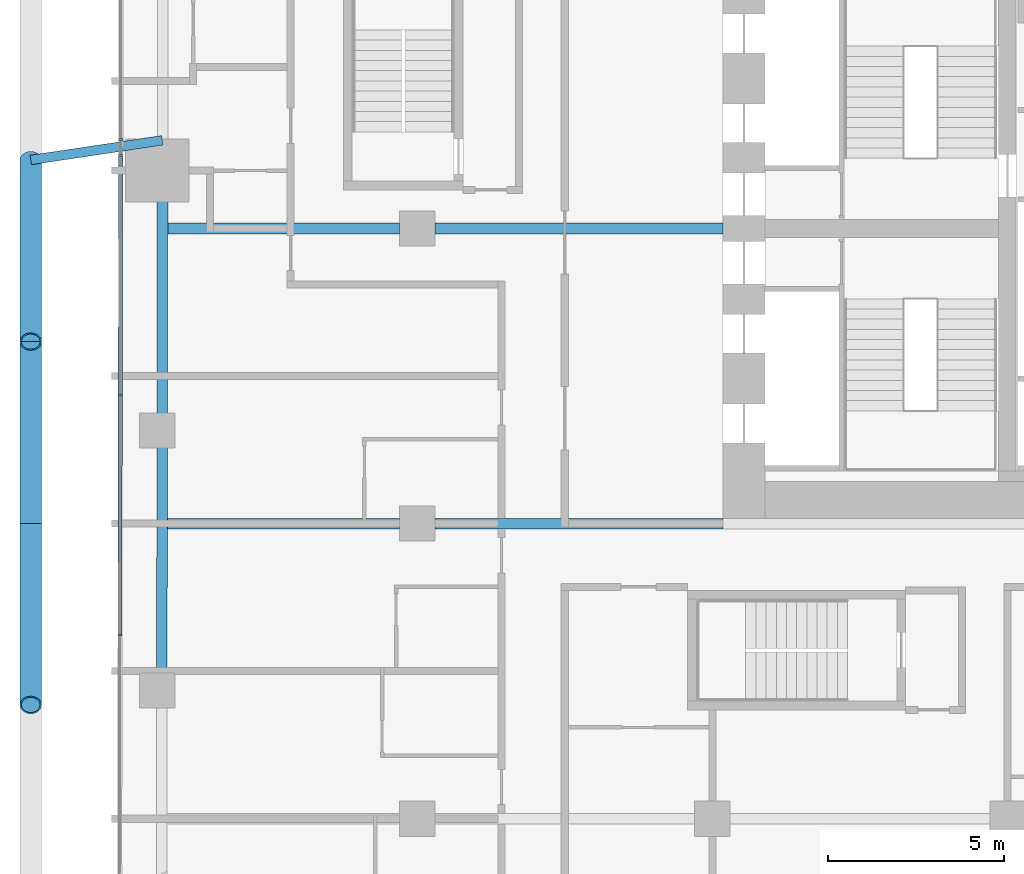
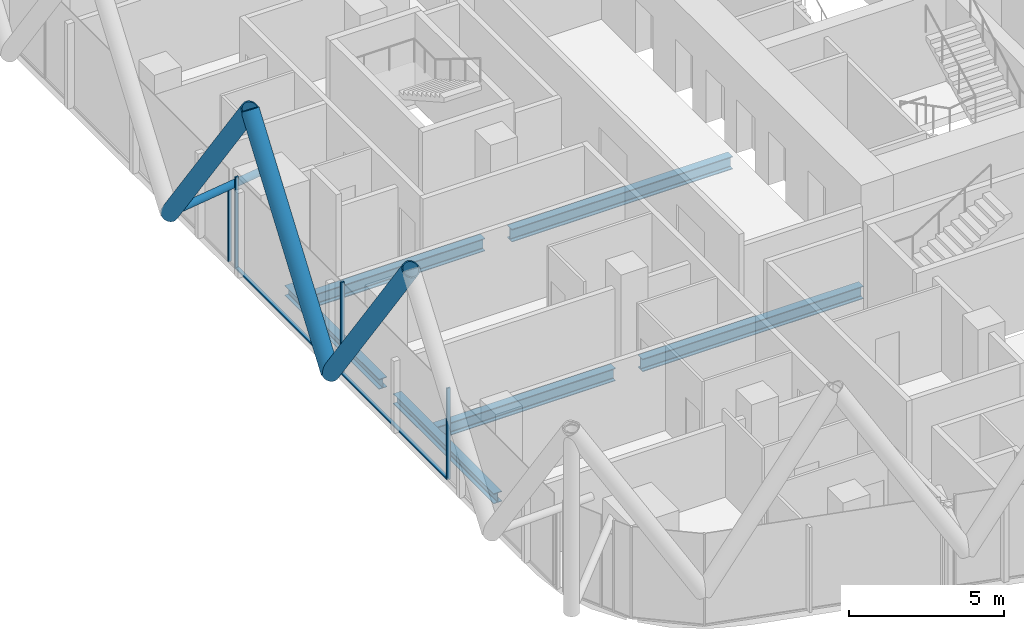
# One storey, part 4 of 38: 10 members, 6 beams, 2 elements without a shape of their own.
"""IFC4 building model written with IfcOpenShell, lengths in metres."""

from ifc_helpers import new_model, si_unit, direction, frame, origin, origin_2d, place, context, subcontext, project, spatial, rectangle, hollow_circle, i_section, extrude, material, layer, layer_set, material_profile, profile_set, type_object, element, aggregate, save


model = new_model("IFC4")

# Units and contexts
model_context = context("Model", 3, precision=1e-05, world=origin(), true_north=direction((0.0, 1.0)))
body_context = subcontext(model_context, "Body", "Model", "MODEL_VIEW")
ifc_project = project(units=[si_unit("LENGTHUNIT", "METRE"), si_unit("AREAUNIT", "SQUARE_METRE"), si_unit("VOLUMEUNIT", "CUBIC_METRE"), si_unit("PLANEANGLEUNIT", "RADIAN"), si_unit("MASSUNIT", "GRAM", prefix="KILO")], contexts=[model_context])

# Site, building, storey
site_placement = place(None, origin())
site = spatial("IfcSite", under=ifc_project, at=site_placement, CompositionType="ELEMENT")
building_placement = place(site_placement, origin())
building = spatial("IfcBuilding", under=site, at=building_placement, Name="Marenta Gate Hotel Tower", CompositionType="ELEMENT")
storey_placement = place(building_placement, frame((0.0, 0.0, 40.10009765625)))
storey = spatial("IfcBuildingStorey", under=building, at=storey_placement, Name="L07", CompositionType="ELEMENT", Elevation=40.10009765625)

# Members
ifc_material_1 = material(Name="Steel S355J2W", Category="steel")
ifc_material_profile_1 = material_profile(ifc_material_1, hollow_circle(Radius=0.304931640625, WallThickness=0.0400390625, at=origin_2d()), Name="CHS 610x40")
ifc_profile_set_1 = profile_set([ifc_material_profile_1], Name="Steel S355J2W")
member_type_1 = type_object("IfcMemberType", Name="Diagrid diagonal Z1 CHS 610x40", PredefinedType="BRACE", material=ifc_profile_set_1)
member_1_placement = place(storey_placement, frame((-32.0, 0.010009765625, 3.139892578125), z_axis=(0.0, -0.583279014058, 0.812271870595), x_axis=(1.0, 0.0, 0.0)))
element("IfcMember", 1, at=member_1_placement, inside=storey, type_object=member_type_1, Name="L07-DG-27", PredefinedType="BRACE", context=body_context, shape_type="SweptSolid", body=[
    extrude(hollow_circle(Radius=0.304931640625, WallThickness=0.0400390625, at=origin_2d()), origin(), (0.0, 0.0, 1.0), 8.864013671875),
])
for number, where, z_axis, x_axis, name in (
    (2, (-32.0, 0.010009765625, 3.139892578125), (0.0, 0.583260841117, 0.812284919975), (-1.0, 0.0, 0.0), "L07-DG-28"),
    (3, (-32.0, 10.349853515625, 3.139892578125), (0.0, -0.583260841117, 0.812284919975), (1.0, 0.0, 0.0), "L07-DG-29"),
):
    element("IfcMember", number, at=place(storey_placement, frame(where, z_axis=z_axis, x_axis=x_axis)), inside=storey, type_object=member_type_1, Name=name, PredefinedType="BRACE", context=body_context, shape_type="SweptSolid", body=[
        extrude(hollow_circle(Radius=0.304931640625, WallThickness=0.0400390625, at=origin_2d()), origin(), (0.0, 0.0, 1.0), 8.86376953125),
    ])

# Beams
ifc_material_2 = material(Name="Steel S355", Category="steel")
ifc_material_profile_2 = material_profile(ifc_material_2, i_section(OverallWidth=0.300048828125, OverallDepth=0.39990234375, WebThickness=0.013427734375, FlangeThickness=0.02392578125, FilletRadius=0.027099609375, at=origin_2d()), Name="HEB 400")
ifc_profile_set_2 = profile_set([ifc_material_profile_2], Name="Steel S355")
beam_type_1 = type_object("IfcBeamType", Name="Edge beam HEB 400", PredefinedType="SPANDREL", material=ifc_profile_set_2)
beam_1_placement = place(storey_placement, frame((-28.267333984375, -4.2919921875, -0.460205078125), z_axis=(0.001393753119, 0.999999028726, 0.0), x_axis=(-0.999999028726, 0.001393753119, 0.0)))
element("IfcBeam", 4, at=beam_1_placement, inside=storey, type_object=beam_type_1, Name="L07-EB-6", PredefinedType="SPANDREL", context=body_context, shape_type="SweptSolid", body=[
    extrude(i_section(OverallWidth=0.300048828125, OverallDepth=0.39990234375, WebThickness=0.013427734375, FlangeThickness=0.02392578125, FilletRadius=0.027099609375, at=origin_2d()), origin(), (0.0, 0.0, 1.0), 6.481201171875),
])
beam_2_placement = place(storey_placement, frame((-28.257080078125, 3.109130859375, -0.460205078125), z_axis=(0.001405226059, 0.999999012669, 0.0), x_axis=(-0.999999012669, 0.001405226059, 0.0)))
element("IfcBeam", 5, at=beam_2_placement, inside=storey, type_object=beam_type_1, Name="L07-EB-7", PredefinedType="SPANDREL", context=body_context, shape_type="SweptSolid", body=[
    extrude(i_section(OverallWidth=0.300048828125, OverallDepth=0.39990234375, WebThickness=0.013427734375, FlangeThickness=0.02392578125, FilletRadius=0.027099609375, at=origin_2d()), origin(), (0.0, 0.0, 1.0), 6.080810546875),
])

# Member
ifc_material_3 = material(Name="Steel S355J2W", Category="steel")
ifc_material_profile_3 = material_profile(ifc_material_3, hollow_circle(Radius=0.136474609375, WallThickness=0.012451171875, at=origin_2d()), Name="CHS 273x12.5")
ifc_profile_set_3 = profile_set([ifc_material_profile_3], Name="Steel S355J2W")
member_type_2 = type_object("IfcMemberType", Name="Floor tie CHS 273x12.5", PredefinedType="STRUT", material=ifc_profile_set_3)
member_2_placement = place(storey_placement, frame((-32.0, 10.349853515625, 3.139892578125), z_axis=(0.989051387298, 0.147571519215, 0.0), x_axis=(-0.147571519215, 0.989051387298, 0.0)))
element("IfcMember", 6, at=member_2_placement, inside=storey, type_object=member_type_2, Name="L07-DR-20", PredefinedType="STRUT", context=body_context, shape_type="SweptSolid", body=[
    extrude(hollow_circle(Radius=0.136474609375, WallThickness=0.012451171875, at=origin_2d()), origin(), (0.0, 0.0, 1.0), 3.78857421875),
])

# Beams
ifc_material_4 = material(Name="Steel S355", Category="steel")
ifc_material_profile_4 = material_profile(ifc_material_4, i_section(OverallWidth=0.300048828125, OverallDepth=0.5, WebThickness=0.014404296875, FlangeThickness=0.028076171875, FilletRadius=0.027099609375, at=origin_2d()), Name="HEB 500")
ifc_profile_set_4 = profile_set([ifc_material_profile_4], Name="Steel S355")
beam_type_2 = type_object("IfcBeamType", Name="Girder HEB 500", PredefinedType="BEAM", material=ifc_profile_set_4)
beam_3_placement = place(storey_placement, frame((-28.111328125, 0.0, -0.510009765625), z_axis=(1.0, 0.0, 0.0), x_axis=(0.0, 1.0, 0.0)))
element("IfcBeam", 7, at=beam_3_placement, inside=storey, type_object=beam_type_2, Name="L07-GD-8", PredefinedType="BEAM", context=body_context, shape_type="SweptSolid", body=[
    extrude(i_section(OverallWidth=0.300048828125, OverallDepth=0.5, WebThickness=0.014404296875, FlangeThickness=0.028076171875, FilletRadius=0.027099609375, at=origin_2d()), origin(), (0.0, 0.0, 1.0), 6.611328125),
])
beam_4_placement = place(storey_placement, frame((-20.5, 0.0, -0.510009765625), z_axis=(1.0, 0.0, 0.0), x_axis=(0.0, 1.0, 0.0)))
element("IfcBeam", 8, at=beam_4_placement, inside=storey, type_object=beam_type_2, Name="L07-GD-9", PredefinedType="BEAM", context=body_context, shape_type="SweptSolid", body=[
    extrude(i_section(OverallWidth=0.300048828125, OverallDepth=0.5, WebThickness=0.014404296875, FlangeThickness=0.028076171875, FilletRadius=0.027099609375, at=origin_2d()), origin(), (0.0, 0.0, 1.0), 8.199951171875),
])
beam_5_placement = place(storey_placement, frame((-28.099609375, 8.39990234375, -0.510009765625), z_axis=(1.0, 0.0, 0.0), x_axis=(0.0, 1.0, 0.0)))
element("IfcBeam", 9, at=beam_5_placement, inside=storey, type_object=beam_type_2, Name="L07-GD-13", PredefinedType="BEAM", context=body_context, shape_type="SweptSolid", body=[
    extrude(i_section(OverallWidth=0.300048828125, OverallDepth=0.5, WebThickness=0.014404296875, FlangeThickness=0.028076171875, FilletRadius=0.027099609375, at=origin_2d()), origin(), (0.0, 0.0, 1.0), 6.599609375),
])
beam_6_placement = place(storey_placement, frame((-20.5, 8.39990234375, -0.510009765625), z_axis=(1.0, 0.0, 0.0), x_axis=(0.0, 1.0, 0.0)))
element("IfcBeam", 10, at=beam_6_placement, inside=storey, type_object=beam_type_2, Name="L07-GD-14", PredefinedType="BEAM", context=body_context, shape_type="SweptSolid", body=[
    extrude(i_section(OverallWidth=0.300048828125, OverallDepth=0.5, WebThickness=0.014404296875, FlangeThickness=0.028076171875, FilletRadius=0.027099609375, at=origin_2d()), origin(), (0.0, 0.0, 1.0), 8.199951171875),
])

# Curtain wall, member
ifc_material_5 = material(Name="Tinted insulated glass in bronze anodised frame", Category="glass")
ifc_layer = layer(ifc_material_5, 0.1201171875)
ifc_layer_set = layer_set([ifc_layer], Name="Tinted insulated glass in bronze anodised frame")
curtain_wall_type = type_object("IfcCurtainWallType", Name="Tower unitised curtain wall CW1", PredefinedType="NOTDEFINED", material=ifc_layer_set)
curtain_wall_1_placement = place(storey_placement, origin())
curtain_wall_1 = element("IfcCurtainWall", 11, at=curtain_wall_1_placement, inside=storey, type_object=curtain_wall_type, Name="CW1 run G07", PredefinedType="NOTDEFINED")
ifc_material_6 = material(Name="Bronze anodised aluminium", Category="aluminium")
ifc_material_profile_5 = material_profile(ifc_material_6, rectangle(XDim=0.1201171875, YDim=0.06005859375, at=origin_2d()), Name="Mullion CW1 60x120 bronze anodised aluminium")
ifc_profile_set_5 = profile_set([ifc_material_profile_5], Name="Bronze anodised aluminium")
member_type_3 = type_object("IfcMemberType", Name="Mullion CW1 60x120 bronze anodised aluminium", PredefinedType="MULLION", material=ifc_profile_set_5)
member_3_placement = place(storey_placement, frame((-29.440185546875, 10.930908203125, 0.0), z_axis=(0.0, 0.0, 1.0), x_axis=(0.999998832533, -0.001528048866, 0.0)))
member_3 = element("IfcMember", 12, at=member_3_placement, type_object=member_type_3, Name="CW1 mullion 1", PredefinedType="MULLION", context=body_context, shape_type="SweptSolid", body=[
    extrude(rectangle(XDim=0.1201171875, YDim=0.06005859375, at=origin_2d()), origin(), (0.0, 0.0, 1.0), 3.00048828125),
])
aggregate(curtain_wall_1, [member_3])

# Curtain wall, members
curtain_wall_2_placement = place(storey_placement, origin())
curtain_wall_2 = element("IfcCurtainWall", 13, at=curtain_wall_2_placement, inside=storey, type_object=curtain_wall_type, Name="CW1 run G08", PredefinedType="NOTDEFINED")
member_4_placement = place(storey_placement, frame((-29.44091796875, 10.472900390625, 0.0), z_axis=(0.0, 0.0, 1.0), x_axis=(0.999998775989, -0.00156461532, 0.0)))
member_4 = element("IfcMember", 14, at=member_4_placement, type_object=member_type_3, Name="CW1 mullion 1", PredefinedType="MULLION", context=body_context, shape_type="SweptSolid", body=[
    extrude(rectangle(XDim=0.1201171875, YDim=0.06005859375, at=origin_2d()), origin(), (0.0, 0.0, 1.0), 3.599853515625),
])
member_5_placement = place(storey_placement, frame((-29.451416015625, 3.6640625, 0.0), z_axis=(0.0, 0.0, 1.0), x_axis=(0.999998775989, -0.00156461532, 0.0)))
member_5 = element("IfcMember", 15, at=member_5_placement, type_object=member_type_3, Name="CW1 mullion 2", PredefinedType="MULLION", context=body_context, shape_type="SweptSolid", body=[
    extrude(rectangle(XDim=0.1201171875, YDim=0.06005859375, at=origin_2d()), origin(), (0.0, 0.0, 1.0), 3.599853515625),
])
member_6_placement = place(storey_placement, frame((-29.462158203125, -3.174560546875, 0.0), z_axis=(0.0, 0.0, 1.0), x_axis=(0.999998775989, -0.00156461532, 0.0)))
member_6 = element("IfcMember", 16, at=member_6_placement, type_object=member_type_3, Name="CW1 mullion 3", PredefinedType="MULLION", context=body_context, shape_type="SweptSolid", body=[
    extrude(rectangle(XDim=0.1201171875, YDim=0.06005859375, at=origin_2d()), origin(), (0.0, 0.0, 1.0), 3.599853515625),
])
ifc_material_7 = material(Name="Bronze anodised aluminium", Category="aluminium")
ifc_material_profile_6 = material_profile(ifc_material_7, rectangle(XDim=0.1201171875, YDim=0.06005859375, at=origin_2d()), Name="Transom CW1 60x120 bronze anodised aluminium")
ifc_profile_set_6 = profile_set([ifc_material_profile_6], Name="Bronze anodised aluminium")
member_type_4 = type_object("IfcMemberType", Name="Transom CW1 60x120 bronze anodised aluminium", PredefinedType="USERDEFINED", material=ifc_profile_set_6)
member_7_placement = place(storey_placement, frame((-29.44091796875, 10.44287109375, 0.02978515625), z_axis=(-0.001555545635, -0.999998790138, 0.0), x_axis=(0.999998790138, -0.001555545635, 0.0)))
member_7 = element("IfcMember", 17, at=member_7_placement, type_object=member_type_4, Name="CW1 transom 1.1", ObjectType="TRANSOM", PredefinedType="USERDEFINED", context=body_context, shape_type="SweptSolid", body=[
    extrude(rectangle(XDim=0.1201171875, YDim=0.06005859375, at=origin_2d()), origin(), (0.0, 0.0, 1.0), 6.748779296875),
])
member_8_placement = place(storey_placement, frame((-29.45166015625, 3.634033203125, 0.02978515625), z_axis=(-0.001548654773, -0.999998800833, 0.0), x_axis=(0.999998800833, -0.001548654773, 0.0)))
member_8 = element("IfcMember", 18, at=member_8_placement, type_object=member_type_4, Name="CW1 transom 2.1", ObjectType="TRANSOM", PredefinedType="USERDEFINED", context=body_context, shape_type="SweptSolid", body=[
    extrude(rectangle(XDim=0.1201171875, YDim=0.06005859375, at=origin_2d()), origin(), (0.0, 0.0, 1.0), 6.77880859375),
])
aggregate(curtain_wall_2, [member_4, member_5, member_6, member_7, member_8])

save(model, "model.ifc")
